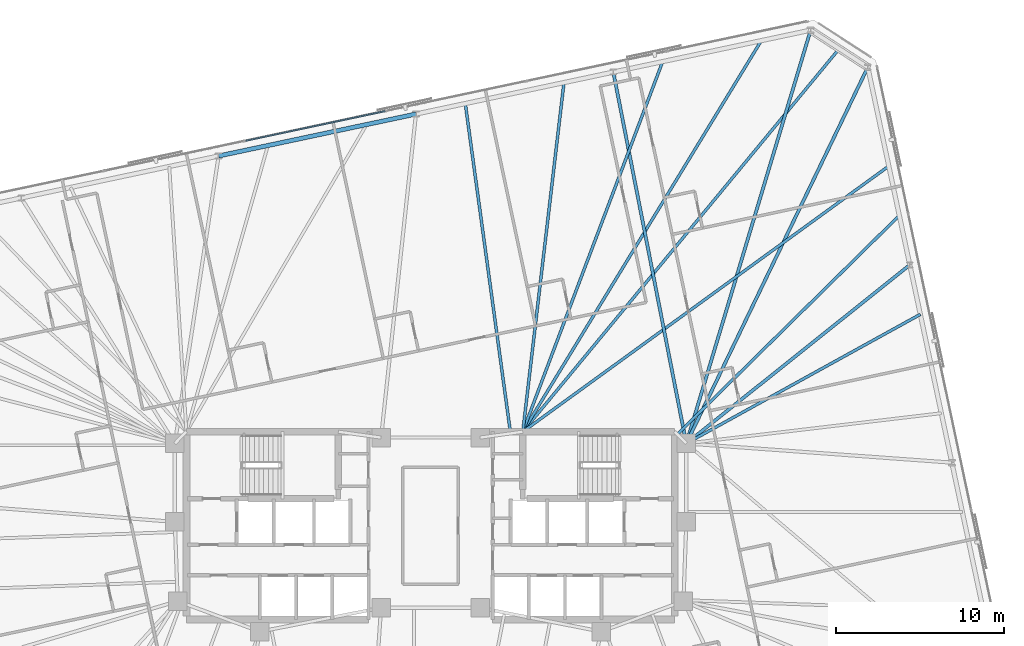
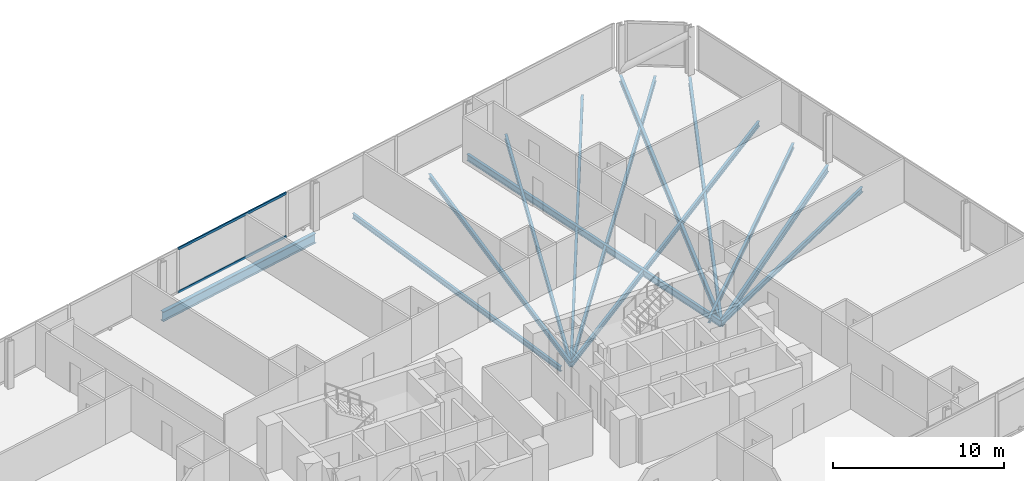
# One storey, part 10 of 19: 13 beams, 2 members, 1 element without a shape of its own.
"""IFC4 building model written with IfcOpenShell, lengths in metres."""

import ifcopenshell
import ifcopenshell.guid

model = None  # the IFC model being written
_history = None  # IfcOwnerHistory: only IFC2X3 demands one
_inside = {}  # id of a spatial element -> (the spatial element, [elements in it])
_under = {}  # id of a project, library or spatial element -> (it, [spatial elements below it])
_declared = {}  # id of a project -> (the project, [libraries it declares])
_typed = {}  # id of a type object -> (the type object, [elements of that type])
_made_of = {}  # id of a material, layer set ... -> (it, [elements and type objects made of it])


def new_model(schema):
    """Start an empty IFC model of exactly this schema.

    Asked for "IFC4X3", IfcOpenShell would pick the latest addendum, in which some entities
    have other attributes; the version numbers below select the first issue.
    IFC2X3 requires an IfcOwnerHistory on every rooted entity: one is made here for all.
    """
    global model, _history
    if schema == "IFC4X3":
        model = ifcopenshell.file(schema_version=(4, 3, 0, 0))
    else:
        model = ifcopenshell.file(schema=schema)
    _inside.clear()
    _under.clear()
    _declared.clear()
    _typed.clear()
    _made_of.clear()
    _history = None
    if model.schema == "IFC2X3":
        org = make("IfcOrganization", Name="unknown")
        user = make(
            "IfcPersonAndOrganization",
            ThePerson=make("IfcPerson", FamilyName="unknown"),
            TheOrganization=org,
        )
        app = make(
            "IfcApplication",
            ApplicationDeveloper=org,
            Version="unknown",
            ApplicationFullName="unknown",
            ApplicationIdentifier="unknown",
        )
        _history = make(
            "IfcOwnerHistory",
            OwningUser=user,
            OwningApplication=app,
            ChangeAction="ADDED",
            CreationDate=0,
        )
    return model


def make(cls, **values):
    """One entity of the class cls with the attributes given. An attribute that is None is left unset."""
    return model.create_entity(
        cls, **{name: value for name, value in values.items() if value is not None}
    )


def rooted(cls, **values):
    """An entity with a GlobalId (a new one), such as an element, a storey or a relation."""
    return make(cls, GlobalId=ifcopenshell.guid.new(), OwnerHistory=_history, **values)


def si_unit(unit_type, name, prefix=None):
    """IfcSIUnit, for example si_unit("LENGTHUNIT", "METRE", prefix="MILLI")."""
    return make("IfcSIUnit", UnitType=unit_type, Prefix=prefix, Name=name)


def assignment(units):
    """IfcUnitAssignment: the units of a project."""
    return None if units is None else make("IfcUnitAssignment", Units=units)


def point(xyz):
    """IfcCartesianPoint."""
    return None if xyz is None else make("IfcCartesianPoint", Coordinates=xyz)


def direction(xyz):
    """IfcDirection."""
    return None if xyz is None else make("IfcDirection", DirectionRatios=xyz)


def frame(location, z_axis=None, x_axis=None):
    """IfcAxis2Placement3D, a coordinate frame: its origin and axes. An axis left out is left unset."""
    return make(
        "IfcAxis2Placement3D",
        Location=point(location),
        Axis=direction(z_axis),
        RefDirection=direction(x_axis),
    )


def frame_2d(location, x_axis=None):
    """IfcAxis2Placement2D, a coordinate frame in the plane: its origin and x axis."""
    return make(
        "IfcAxis2Placement2D", Location=point(location), RefDirection=direction(x_axis)
    )


def origin():
    """The frame at (0, 0, 0) with its axes left unset."""
    return frame((0.0, 0.0, 0.0))


def origin_2d():
    """The frame at (0, 0) in the plane with its x axis left unset."""
    return frame_2d((0.0, 0.0))


def place(relative_to, where):
    """IfcLocalPlacement: puts the frame where relative to a parent placement (None: the world)."""
    return make(
        "IfcLocalPlacement", PlacementRelTo=relative_to, RelativePlacement=where
    )


def context(
    kind, dimensions, precision=None, world=None, true_north=None, identifier=None
):
    """IfcGeometricRepresentationContext, for example the 3D "Model" context."""
    return make(
        "IfcGeometricRepresentationContext",
        ContextIdentifier=identifier,
        ContextType=kind,
        CoordinateSpaceDimension=dimensions,
        Precision=precision,
        WorldCoordinateSystem=world,
        TrueNorth=true_north,
    )


def subcontext(parent, identifier, kind, view, scale=None):
    """IfcGeometricRepresentationSubContext, for example "Body" below "Model"."""
    return make(
        "IfcGeometricRepresentationSubContext",
        ContextIdentifier=identifier,
        ContextType=kind,
        ParentContext=parent,
        TargetScale=scale,
        TargetView=view,
    )


def project(units=None, contexts=None):
    """IfcProject with its units and contexts."""
    return rooted(
        "IfcProject",
        Name="project",
        RepresentationContexts=contexts,
        UnitsInContext=assignment(units),
    )


def spatial(cls, under=None, at=None, **own):
    """A site, building, storey or space (cls), placed at a placement, below another one or the project."""
    s = rooted(cls, ObjectPlacement=at, **own)
    if under is not None:
        _under.setdefault(under.id(), (under, []))[1].append(s)
    return s


def profile(cls, at=None, kind="AREA", **sizes):
    """A parametric profile (cls). Its sizes go by their IFC names, for example OverallWidth=200.0."""
    return make(cls, ProfileType=kind, Position=at, **sizes)


def rectangle(**sizes):
    """IfcRectangleProfileDef."""
    return profile("IfcRectangleProfileDef", **sizes)


def i_section(**sizes):
    """IfcIShapeProfileDef."""
    return profile("IfcIShapeProfileDef", **sizes)


def extrude(swept, where, along, depth):
    """IfcExtrudedAreaSolid: the profile swept, set in the frame where, extruded along a direction by depth."""
    return make(
        "IfcExtrudedAreaSolid",
        SweptArea=swept,
        Position=where,
        ExtrudedDirection=direction(along),
        Depth=depth,
    )


def shape(context_of_items, identifier, shape_type, items):
    """IfcShapeRepresentation: the items that make up one representation, for example the "Body"."""
    return make(
        "IfcShapeRepresentation",
        ContextOfItems=context_of_items,
        RepresentationIdentifier=identifier,
        RepresentationType=shape_type,
        Items=items,
    )


def material(Name=None, Category=None):
    """IfcMaterial."""
    return make("IfcMaterial", Name=Name, Category=Category)


def material_profile(
    of_material, cross_section, Name=None, Category=None, Priority=None
):
    """IfcMaterialProfile: a cross section and its material."""
    return make(
        "IfcMaterialProfile",
        Name=Name,
        Material=of_material,
        Profile=cross_section,
        Priority=Priority,
        Category=Category,
    )


def profile_set(profiles, Name=None, composite=None):
    """IfcMaterialProfileSet."""
    return make(
        "IfcMaterialProfileSet",
        Name=Name,
        MaterialProfiles=profiles,
        CompositeProfile=composite,
    )


def made_of(thing, what):
    """Note that an element or type object is made of a material, layer set ...; save() writes the relation."""
    if what is not None:
        _made_of.setdefault(what.id(), (what, []))[1].append(thing)
    return thing


def type_object(cls, material=None, **own):
    """A type object (cls), such as IfcWallType, which elements share."""
    return made_of(rooted(cls, **own), material)


def element(
    cls,
    number,
    at=None,
    inside=None,
    cuts=None,
    type_object=None,
    material=None,
    context=None,
    identifier="Body",
    shape_type=None,
    held_by="IfcProductDefinitionShape",
    body=None,
    shapes=None,
    **own,
):
    """One element of the class cls, such as IfcWall. Its Tag is "e" and its number.

    at: its placement. inside: the storey or other place that contains it. cuts: it is an
    opening in that element (IfcRelVoidsElement). A single representation is given by context,
    identifier, shape_type and body (its items); several are given by shapes. held_by: the class
    of the entity that holds the representations. save() writes the other relations.
    """
    e = rooted(cls, Tag="e%d" % number, ObjectPlacement=at, **own)
    if body is not None:
        shapes = [shape(context, identifier, shape_type, body)]
    if shapes is not None:
        e.Representation = make(held_by, Representations=shapes)
    if inside is not None:
        _inside.setdefault(inside.id(), (inside, []))[1].append(e)
    if cuts is not None:
        rooted(
            "IfcRelVoidsElement", RelatingBuildingElement=cuts, RelatedOpeningElement=e
        )
    if type_object is not None:
        _typed.setdefault(type_object.id(), (type_object, []))[1].append(e)
    return made_of(e, material)


def aggregate(whole, parts):
    """IfcRelAggregates: a whole, such as a stair, and the parts it consists of."""
    return rooted("IfcRelAggregates", RelatingObject=whole, RelatedObjects=parts)


def save(model, path):
    """Write the relations noted so far, then the file.

    IfcRelAggregates (storeys below a building ...), IfcRelContainedInSpatialStructure (elements
    in a storey), IfcRelDefinesByType, IfcRelAssociatesMaterial and IfcRelDeclares: one each for
    every whole, place, type object, material and project.
    """
    for whole, parts in _under.values():
        aggregate(whole, parts)
    for where, things in _inside.values():
        rooted(
            "IfcRelContainedInSpatialStructure",
            RelatedElements=things,
            RelatingStructure=where,
        )
    for kind, things in _typed.values():
        rooted("IfcRelDefinesByType", RelatedObjects=things, RelatingType=kind)
    for what, things in _made_of.values():
        rooted("IfcRelAssociatesMaterial", RelatedObjects=things, RelatingMaterial=what)
    for by, libraries in _declared.values():
        rooted("IfcRelDeclares", RelatingContext=by, RelatedDefinitions=libraries)
    model.write(path)


model = new_model("IFC4")

# Units and contexts
model_context = context("Model", 3, precision=1e-05, world=origin(), true_north=direction((0.0, 1.0)))
body_context = subcontext(model_context, "Body", "Model", "MODEL_VIEW")
ifc_project = project(units=[si_unit("LENGTHUNIT", "METRE"), si_unit("AREAUNIT", "SQUARE_METRE"), si_unit("VOLUMEUNIT", "CUBIC_METRE"), si_unit("PLANEANGLEUNIT", "RADIAN"), si_unit("MASSUNIT", "GRAM", prefix="KILO")], contexts=[model_context])

# Site, building, storey
site_placement = place(None, origin())
site = spatial("IfcSite", under=ifc_project, at=site_placement, CompositionType="ELEMENT")
building_placement = place(site_placement, origin())
building = spatial("IfcBuilding", under=site, at=building_placement, Name="Menara Jurai Vektor", CompositionType="ELEMENT")
storey_placement = place(building_placement, frame((0.0, 0.0, 161.60009765625)))
storey = spatial("IfcBuildingStorey", under=building, at=storey_placement, Name="L41", CompositionType="ELEMENT", Elevation=161.60009765625)

# Curtain wall, members
ifc_material_1 = material(Name="Anodised Pale Aluminium & Low-E Double Glazing", Category="aluminium")
curtain_wall_type = type_object("IfcCurtainWallType", Name="CW-BLK3", PredefinedType="NOTDEFINED", material=ifc_material_1)
curtain_wall_placement = place(storey_placement, origin())
curtain_wall = element("IfcCurtainWall", 1, at=curtain_wall_placement, inside=storey, type_object=curtain_wall_type, Name="Unitised Curtain Wall L41 F05", PredefinedType="NOTDEFINED")
ifc_material_2 = material(Name="Anodised Pale Aluminium Transom", Category="aluminium")
ifc_material_profile_1 = material_profile(ifc_material_2, rectangle(XDim=0.0849609375, YDim=0.175048828125, at=origin_2d()), Name="ALU TRN 85x175")
ifc_profile_set_1 = profile_set([ifc_material_profile_1], Name="Anodised Pale Aluminium Transom")
member_type = type_object("IfcMemberType", Name="CW-BLK3-TRN", PredefinedType="USERDEFINED", material=ifc_profile_set_1)
member_1_placement = place(storey_placement, frame((-2.716796875, 24.712890625, 0.04248046875), z_axis=(-0.978153589924, -0.207883511896, 0.0), x_axis=(0.207883511896, -0.978153589924, 0.0)))
member_1 = element("IfcMember", 2, at=member_1_placement, type_object=member_type, Name="CW-03 transom 4.1", ObjectType="TRANSOM", PredefinedType="USERDEFINED", context=body_context, shape_type="SweptSolid", body=[
    extrude(rectangle(XDim=0.0849609375, YDim=0.175048828125, at=origin_2d()), origin(), (0.0, 0.0, 1.0), 8.4921875),
])
member_2_placement = place(storey_placement, frame((-2.716796875, 24.712890625, 3.13232421875), z_axis=(-0.978153589924, -0.207883511896, 0.0), x_axis=(0.207883511896, -0.978153589924, 0.0)))
member_2 = element("IfcMember", 3, at=member_2_placement, type_object=member_type, Name="CW-03 transom 4.2", ObjectType="TRANSOM", PredefinedType="USERDEFINED", context=body_context, shape_type="SweptSolid", body=[
    extrude(rectangle(XDim=0.0849609375, YDim=0.175048828125, at=origin_2d()), origin(), (0.0, 0.0, 1.0), 8.4921875),
])
aggregate(curtain_wall, [member_1, member_2])

# Beams
ifc_material_3 = material(Name="Steel S355", Category="steel")
ifc_material_profile_2 = material_profile(ifc_material_3, i_section(OverallWidth=0.19091796875, OverallDepth=0.4599609375, WebThickness=0.010009765625, FlangeThickness=0.01611328125, FilletRadius=0.010009765625, at=origin_2d()), Name="UKB 457x191x82")
ifc_profile_set_2 = profile_set([ifc_material_profile_2], Name="Steel S355")
beam_type_1 = type_object("IfcBeamType", Name="STR-BM-457", PredefinedType="BEAM", material=ifc_profile_set_2)
beam_1_placement = place(storey_placement, frame((28.5771484375, 15.544921875, -0.455078125), z_axis=(-0.781346163898, -0.624097886683, 0.0), x_axis=(0.624097886683, -0.781346163898, 0.0)))
element("IfcBeam", 4, at=beam_1_placement, inside=storey, type_object=beam_type_1, Name="Radial Floor Girder L41-E3", PredefinedType="BEAM", context=body_context, shape_type="SweptSolid", body=[
    extrude(i_section(OverallWidth=0.19091796875, OverallDepth=0.4599609375, WebThickness=0.010009765625, FlangeThickness=0.01611328125, FilletRadius=0.010009765625, at=origin_2d()), origin(), (0.0, 0.0, 1.0), 17.056640625),
])
beam_2_placement = place(storey_placement, frame((26.0712890625, 27.33349609375, -0.455078125), z_axis=(-0.434465059539, -0.900688687639, 0.0), x_axis=(0.900688687639, -0.434465059539, 0.0)))
element("IfcBeam", 5, at=beam_2_placement, inside=storey, type_object=beam_type_1, Name="Radial Floor Girder L41-E4", PredefinedType="BEAM", context=body_context, shape_type="SweptSolid", body=[
    extrude(i_section(OverallWidth=0.19091796875, OverallDepth=0.4599609375, WebThickness=0.010009765625, FlangeThickness=0.01611328125, FilletRadius=0.010009765625, at=origin_2d()), origin(), (0.0, 0.0, 1.0), 24.9072265625),
])
beam_3_placement = place(storey_placement, frame((22.664794921875, 29.545654296875, -0.455078125), z_axis=(-0.288098843548, -0.957600676872, 0.0), x_axis=(0.957600676872, -0.288098843548, 0.0)))
element("IfcBeam", 6, at=beam_3_placement, inside=storey, type_object=beam_type_1, Name="Radial Floor Girder L41-N1", PredefinedType="BEAM", context=body_context, shape_type="SweptSolid", body=[
    extrude(i_section(OverallWidth=0.19091796875, OverallDepth=0.4599609375, WebThickness=0.010009765625, FlangeThickness=0.01611328125, FilletRadius=0.010009765625, at=origin_2d()), origin(), (0.0, 0.0, 1.0), 25.737060546875),
])
beam_4_placement = place(storey_placement, frame((10.896484375, 27.044189453125, -0.455078125), z_axis=(0.192905075816, -0.981217423268, 0.0), x_axis=(0.981217423268, 0.192905075816, 0.0)))
element("IfcBeam", 7, at=beam_4_placement, inside=storey, type_object=beam_type_1, Name="Radial Floor Girder L41-N2", PredefinedType="BEAM", context=body_context, shape_type="SweptSolid", body=[
    extrude(i_section(OverallWidth=0.19091796875, OverallDepth=0.4599609375, WebThickness=0.010009765625, FlangeThickness=0.01611328125, FilletRadius=0.010009765625, at=origin_2d()), origin(), (0.0, 0.0, 1.0), 22.568115234375),
])
ifc_material_profile_3 = material_profile(ifc_material_3, i_section(OverallWidth=0.172119140625, OverallDepth=0.35498046875, WebThickness=0.007080078125, FlangeThickness=0.011962890625, FilletRadius=0.010009765625, at=origin_2d()), Name="UKB 356x171x51")
ifc_profile_set_3 = profile_set([ifc_material_profile_3], Name="Steel S355")
beam_type_2 = type_object("IfcBeamType", Name="STR-JS-356", PredefinedType="JOIST", material=ifc_profile_set_3)
beam_5_placement = place(storey_placement, frame((29.20361328125, 12.597900390625, -0.402587890625), z_axis=(-0.875592207488, -0.483051018202, 0.0), x_axis=(0.483051018202, -0.875592207488, 0.0)))
element("IfcBeam", 8, at=beam_5_placement, inside=storey, type_object=beam_type_2, Name="Radial Secondary Floor Joist L41-JS14", PredefinedType="JOIST", context=body_context, shape_type="SweptSolid", body=[
    extrude(i_section(OverallWidth=0.172119140625, OverallDepth=0.35498046875, WebThickness=0.007080078125, FlangeThickness=0.011962890625, FilletRadius=0.010009765625, at=origin_2d()), origin(), (0.0, 0.0, 1.0), 15.936279296875),
])
beam_6_placement = place(storey_placement, frame((27.95068359375, 18.4921875, -0.402587890625), z_axis=(-0.712171791789, -0.702005227174, 0.0), x_axis=(0.702005227174, -0.712171791789, 0.0)))
element("IfcBeam", 9, at=beam_6_placement, inside=storey, type_object=beam_type_2, Name="Radial Secondary Floor Joist L41-JS15", PredefinedType="JOIST", context=body_context, shape_type="SweptSolid", body=[
    extrude(i_section(OverallWidth=0.172119140625, OverallDepth=0.35498046875, WebThickness=0.007080078125, FlangeThickness=0.011962890625, FilletRadius=0.010009765625, at=origin_2d()), origin(), (0.0, 0.0, 1.0), 18.5869140625),
])
beam_7_placement = place(storey_placement, frame((27.32421875, 21.439208984375, -0.402587890625), z_axis=(-0.809318640486, -0.587369847848, 0.0), x_axis=(0.587369847848, -0.809318640486, 0.0)))
element("IfcBeam", 10, at=beam_7_placement, inside=storey, type_object=beam_type_2, Name="Radial Secondary Floor Joist L41-JS16", PredefinedType="JOIST", context=body_context, shape_type="SweptSolid", body=[
    extrude(i_section(OverallWidth=0.172119140625, OverallDepth=0.35498046875, WebThickness=0.007080078125, FlangeThickness=0.011962890625, FilletRadius=0.010009765625, at=origin_2d()), origin(), (0.0, 0.0, 1.0), 26.966064453125),
])
beam_8_placement = place(storey_placement, frame((24.3681640625, 28.439697265625, -0.402587890625), z_axis=(-0.636894863934, -0.770950667873, 0.0), x_axis=(0.770950667873, -0.636894863934, 0.0)))
element("IfcBeam", 11, at=beam_8_placement, inside=storey, type_object=beam_type_2, Name="Radial Secondary Floor Joist L41-JS17", PredefinedType="JOIST", context=body_context, shape_type="SweptSolid", body=[
    extrude(i_section(OverallWidth=0.172119140625, OverallDepth=0.35498046875, WebThickness=0.007080078125, FlangeThickness=0.011962890625, FilletRadius=0.010009765625, at=origin_2d()), origin(), (0.0, 0.0, 1.0), 29.625244140625),
])
beam_9_placement = place(storey_placement, frame((19.72265625, 28.92041015625, -0.402587890625), z_axis=(-0.520686242997, -0.8537481106, 0.0), x_axis=(0.8537481106, -0.520686242997, 0.0)))
element("IfcBeam", 12, at=beam_9_placement, inside=storey, type_object=beam_type_2, Name="Radial Secondary Floor Joist L41-JS18", PredefinedType="JOIST", context=body_context, shape_type="SweptSolid", body=[
    extrude(i_section(OverallWidth=0.172119140625, OverallDepth=0.35498046875, WebThickness=0.007080078125, FlangeThickness=0.011962890625, FilletRadius=0.010009765625, at=origin_2d()), origin(), (0.0, 0.0, 1.0), 27.315185546875),
])
beam_10_placement = place(storey_placement, frame((13.838623046875, 27.669677734375, -0.402587890625), z_axis=(-0.353446048928, -0.935454910991, 0.0), x_axis=(0.935454910991, -0.353446048928, 0.0)))
element("IfcBeam", 13, at=beam_10_placement, inside=storey, type_object=beam_type_2, Name="Radial Secondary Floor Joist L41-JS19", PredefinedType="JOIST", context=body_context, shape_type="SweptSolid", body=[
    extrude(i_section(OverallWidth=0.172119140625, OverallDepth=0.35498046875, WebThickness=0.007080078125, FlangeThickness=0.011962890625, FilletRadius=0.010009765625, at=origin_2d()), origin(), (0.0, 0.0, 1.0), 23.59228515625),
])
beam_11_placement = place(storey_placement, frame((7.95458984375, 26.4189453125, -0.402587890625), z_axis=(-0.117091260338, -0.99312115915, 0.0), x_axis=(0.99312115915, -0.117091260338, 0.0)))
element("IfcBeam", 14, at=beam_11_placement, inside=storey, type_object=beam_type_2, Name="Radial Secondary Floor Joist L41-JS20", PredefinedType="JOIST", context=body_context, shape_type="SweptSolid", body=[
    extrude(i_section(OverallWidth=0.172119140625, OverallDepth=0.35498046875, WebThickness=0.007080078125, FlangeThickness=0.011962890625, FilletRadius=0.010009765625, at=origin_2d()), origin(), (0.0, 0.0, 1.0), 20.963134765625),
])
beam_12_placement = place(storey_placement, frame((2.0703125, 25.168212890625, -0.402587890625), z_axis=(0.135985700778, -0.990710799973, 0.0), x_axis=(0.990710799973, 0.135985700778, 0.0)))
element("IfcBeam", 15, at=beam_12_placement, inside=storey, type_object=beam_type_2, Name="Radial Secondary Floor Joist L41-JS21", PredefinedType="JOIST", context=body_context, shape_type="SweptSolid", body=[
    extrude(i_section(OverallWidth=0.172119140625, OverallDepth=0.35498046875, WebThickness=0.007080078125, FlangeThickness=0.011962890625, FilletRadius=0.010009765625, at=origin_2d()), origin(), (0.0, 0.0, 1.0), 19.852783203125),
])
ifc_material_4 = material(Name="Steel S460", Category="steel")
ifc_material_profile_4 = material_profile(ifc_material_4, i_section(OverallWidth=0.256103515625, OverallDepth=0.693115234375, WebThickness=0.013916015625, FlangeThickness=0.02392578125, FilletRadius=0.014892578125, at=origin_2d()), Name="UKB 686x254x170")
ifc_profile_set_4 = profile_set([ifc_material_profile_4], Name="Steel S460")
beam_type_3 = type_object("IfcBeamType", Name="STR-SP-686", PredefinedType="SPANDREL", material=ifc_profile_set_4)
beam_13_placement = place(storey_placement, frame((-0.87158203125, 24.54296875, -0.571533203125), z_axis=(-0.978147039247, -0.207914332389, 0.0), x_axis=(0.207914332389, -0.978147039247, 0.0)))
element("IfcBeam", 16, at=beam_13_placement, inside=storey, type_object=beam_type_3, Name="Exoskeleton Spandrel Beam L41-13", PredefinedType="SPANDREL", context=body_context, shape_type="SweptSolid", body=[
    extrude(i_section(OverallWidth=0.256103515625, OverallDepth=0.693115234375, WebThickness=0.013916015625, FlangeThickness=0.02392578125, FilletRadius=0.014892578125, at=origin_2d()), origin(), (0.0, 0.0, 1.0), 12.03125),
])

save(model, "model.ifc")
